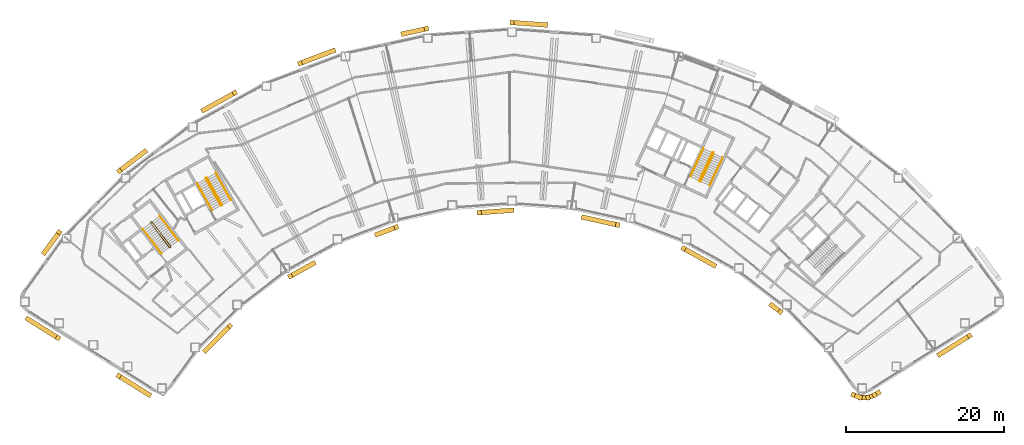
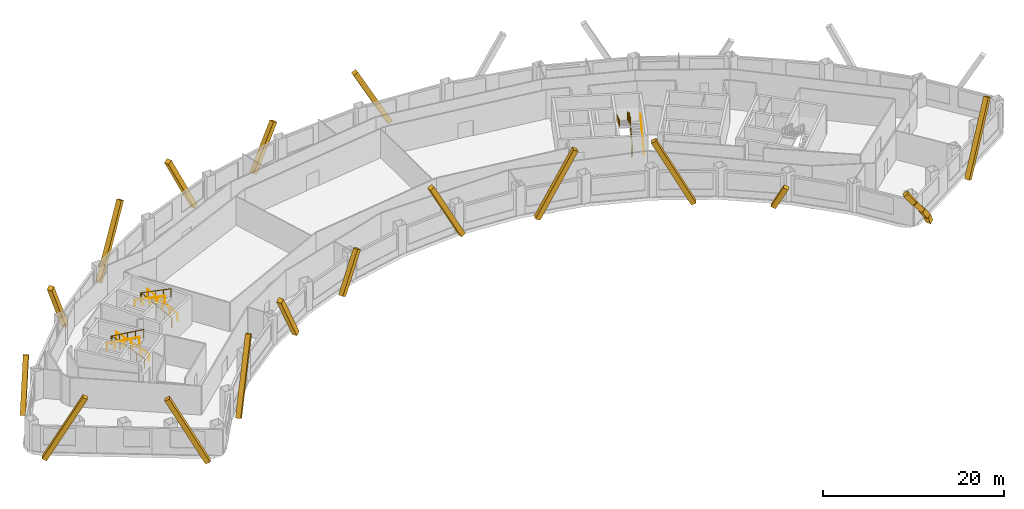
# One storey, part 10 of 11: 20 coverings, 9 railings.
"""IFC4 building model written with IfcOpenShell, lengths in metres."""

import ifcopenshell
import ifcopenshell.guid

model = None  # the IFC model being written
_history = None  # IfcOwnerHistory: only IFC2X3 demands one
_inside = {}  # id of a spatial element -> (the spatial element, [elements in it])
_under = {}  # id of a project, library or spatial element -> (it, [spatial elements below it])
_declared = {}  # id of a project -> (the project, [libraries it declares])
_typed = {}  # id of a type object -> (the type object, [elements of that type])
_made_of = {}  # id of a material, layer set ... -> (it, [elements and type objects made of it])


def new_model(schema):
    """Start an empty IFC model of exactly this schema.

    Asked for "IFC4X3", IfcOpenShell would pick the latest addendum, in which some entities
    have other attributes; the version numbers below select the first issue.
    IFC2X3 requires an IfcOwnerHistory on every rooted entity: one is made here for all.
    """
    global model, _history
    if schema == "IFC4X3":
        model = ifcopenshell.file(schema_version=(4, 3, 0, 0))
    else:
        model = ifcopenshell.file(schema=schema)
    _inside.clear()
    _under.clear()
    _declared.clear()
    _typed.clear()
    _made_of.clear()
    _history = None
    if model.schema == "IFC2X3":
        org = make("IfcOrganization", Name="unknown")
        user = make(
            "IfcPersonAndOrganization",
            ThePerson=make("IfcPerson", FamilyName="unknown"),
            TheOrganization=org,
        )
        app = make(
            "IfcApplication",
            ApplicationDeveloper=org,
            Version="unknown",
            ApplicationFullName="unknown",
            ApplicationIdentifier="unknown",
        )
        _history = make(
            "IfcOwnerHistory",
            OwningUser=user,
            OwningApplication=app,
            ChangeAction="ADDED",
            CreationDate=0,
        )
    return model


def make(cls, **values):
    """One entity of the class cls with the attributes given. An attribute that is None is left unset."""
    return model.create_entity(
        cls, **{name: value for name, value in values.items() if value is not None}
    )


def rooted(cls, **values):
    """An entity with a GlobalId (a new one), such as an element, a storey or a relation."""
    return make(cls, GlobalId=ifcopenshell.guid.new(), OwnerHistory=_history, **values)


def si_unit(unit_type, name, prefix=None):
    """IfcSIUnit, for example si_unit("LENGTHUNIT", "METRE", prefix="MILLI")."""
    return make("IfcSIUnit", UnitType=unit_type, Prefix=prefix, Name=name)


def assignment(units):
    """IfcUnitAssignment: the units of a project."""
    return None if units is None else make("IfcUnitAssignment", Units=units)


def point(xyz):
    """IfcCartesianPoint."""
    return None if xyz is None else make("IfcCartesianPoint", Coordinates=xyz)


def direction(xyz):
    """IfcDirection."""
    return None if xyz is None else make("IfcDirection", DirectionRatios=xyz)


def frame(location, z_axis=None, x_axis=None):
    """IfcAxis2Placement3D, a coordinate frame: its origin and axes. An axis left out is left unset."""
    return make(
        "IfcAxis2Placement3D",
        Location=point(location),
        Axis=direction(z_axis),
        RefDirection=direction(x_axis),
    )


def frame_2d(location, x_axis=None):
    """IfcAxis2Placement2D, a coordinate frame in the plane: its origin and x axis."""
    return make(
        "IfcAxis2Placement2D", Location=point(location), RefDirection=direction(x_axis)
    )


def origin():
    """The frame at (0, 0, 0) with its axes left unset."""
    return frame((0.0, 0.0, 0.0))


def origin_2d():
    """The frame at (0, 0) in the plane with its x axis left unset."""
    return frame_2d((0.0, 0.0))


def place(relative_to, where):
    """IfcLocalPlacement: puts the frame where relative to a parent placement (None: the world)."""
    return make(
        "IfcLocalPlacement", PlacementRelTo=relative_to, RelativePlacement=where
    )


def context(
    kind, dimensions, precision=None, world=None, true_north=None, identifier=None
):
    """IfcGeometricRepresentationContext, for example the 3D "Model" context."""
    return make(
        "IfcGeometricRepresentationContext",
        ContextIdentifier=identifier,
        ContextType=kind,
        CoordinateSpaceDimension=dimensions,
        Precision=precision,
        WorldCoordinateSystem=world,
        TrueNorth=true_north,
    )


def subcontext(parent, identifier, kind, view, scale=None):
    """IfcGeometricRepresentationSubContext, for example "Body" below "Model"."""
    return make(
        "IfcGeometricRepresentationSubContext",
        ContextIdentifier=identifier,
        ContextType=kind,
        ParentContext=parent,
        TargetScale=scale,
        TargetView=view,
    )


def project(units=None, contexts=None):
    """IfcProject with its units and contexts."""
    return rooted(
        "IfcProject",
        Name="project",
        RepresentationContexts=contexts,
        UnitsInContext=assignment(units),
    )


def spatial(cls, under=None, at=None, **own):
    """A site, building, storey or space (cls), placed at a placement, below another one or the project."""
    s = rooted(cls, ObjectPlacement=at, **own)
    if under is not None:
        _under.setdefault(under.id(), (under, []))[1].append(s)
    return s


def profile(cls, at=None, kind="AREA", **sizes):
    """A parametric profile (cls). Its sizes go by their IFC names, for example OverallWidth=200.0."""
    return make(cls, ProfileType=kind, Position=at, **sizes)


def rectangle(**sizes):
    """IfcRectangleProfileDef."""
    return profile("IfcRectangleProfileDef", **sizes)


def circle(**sizes):
    """IfcCircleProfileDef."""
    return profile("IfcCircleProfileDef", **sizes)


def extrude(swept, where, along, depth):
    """IfcExtrudedAreaSolid: the profile swept, set in the frame where, extruded along a direction by depth."""
    return make(
        "IfcExtrudedAreaSolid",
        SweptArea=swept,
        Position=where,
        ExtrudedDirection=direction(along),
        Depth=depth,
    )


def shape(context_of_items, identifier, shape_type, items):
    """IfcShapeRepresentation: the items that make up one representation, for example the "Body"."""
    return make(
        "IfcShapeRepresentation",
        ContextOfItems=context_of_items,
        RepresentationIdentifier=identifier,
        RepresentationType=shape_type,
        Items=items,
    )


def material(Name=None, Category=None):
    """IfcMaterial."""
    return make("IfcMaterial", Name=Name, Category=Category)


def material_profile(
    of_material, cross_section, Name=None, Category=None, Priority=None
):
    """IfcMaterialProfile: a cross section and its material."""
    return make(
        "IfcMaterialProfile",
        Name=Name,
        Material=of_material,
        Profile=cross_section,
        Priority=Priority,
        Category=Category,
    )


def profile_set(profiles, Name=None, composite=None):
    """IfcMaterialProfileSet."""
    return make(
        "IfcMaterialProfileSet",
        Name=Name,
        MaterialProfiles=profiles,
        CompositeProfile=composite,
    )


def made_of(thing, what):
    """Note that an element or type object is made of a material, layer set ...; save() writes the relation."""
    if what is not None:
        _made_of.setdefault(what.id(), (what, []))[1].append(thing)
    return thing


def type_object(cls, material=None, **own):
    """A type object (cls), such as IfcWallType, which elements share."""
    return made_of(rooted(cls, **own), material)


def element(
    cls,
    number,
    at=None,
    inside=None,
    cuts=None,
    type_object=None,
    material=None,
    context=None,
    identifier="Body",
    shape_type=None,
    held_by="IfcProductDefinitionShape",
    body=None,
    shapes=None,
    **own,
):
    """One element of the class cls, such as IfcWall. Its Tag is "e" and its number.

    at: its placement. inside: the storey or other place that contains it. cuts: it is an
    opening in that element (IfcRelVoidsElement). A single representation is given by context,
    identifier, shape_type and body (its items); several are given by shapes. held_by: the class
    of the entity that holds the representations. save() writes the other relations.
    """
    e = rooted(cls, Tag="e%d" % number, ObjectPlacement=at, **own)
    if body is not None:
        shapes = [shape(context, identifier, shape_type, body)]
    if shapes is not None:
        e.Representation = make(held_by, Representations=shapes)
    if inside is not None:
        _inside.setdefault(inside.id(), (inside, []))[1].append(e)
    if cuts is not None:
        rooted(
            "IfcRelVoidsElement", RelatingBuildingElement=cuts, RelatedOpeningElement=e
        )
    if type_object is not None:
        _typed.setdefault(type_object.id(), (type_object, []))[1].append(e)
    return made_of(e, material)


def aggregate(whole, parts):
    """IfcRelAggregates: a whole, such as a stair, and the parts it consists of."""
    return rooted("IfcRelAggregates", RelatingObject=whole, RelatedObjects=parts)


def save(model, path):
    """Write the relations noted so far, then the file.

    IfcRelAggregates (storeys below a building ...), IfcRelContainedInSpatialStructure (elements
    in a storey), IfcRelDefinesByType, IfcRelAssociatesMaterial and IfcRelDeclares: one each for
    every whole, place, type object, material and project.
    """
    for whole, parts in _under.values():
        aggregate(whole, parts)
    for where, things in _inside.values():
        rooted(
            "IfcRelContainedInSpatialStructure",
            RelatedElements=things,
            RelatingStructure=where,
        )
    for kind, things in _typed.values():
        rooted("IfcRelDefinesByType", RelatedObjects=things, RelatingType=kind)
    for what, things in _made_of.values():
        rooted("IfcRelAssociatesMaterial", RelatedObjects=things, RelatingMaterial=what)
    for by, libraries in _declared.values():
        rooted("IfcRelDeclares", RelatingContext=by, RelatedDefinitions=libraries)
    model.write(path)


model = new_model("IFC4")

# Units and contexts
model_context = context("Model", 3, precision=1e-05, world=origin(), true_north=direction((0.0, 1.0)))
body_context = subcontext(model_context, "Body", "Model", "MODEL_VIEW")
ifc_project = project(units=[si_unit("LENGTHUNIT", "METRE"), si_unit("AREAUNIT", "SQUARE_METRE"), si_unit("VOLUMEUNIT", "CUBIC_METRE"), si_unit("PLANEANGLEUNIT", "RADIAN"), si_unit("MASSUNIT", "GRAM", prefix="KILO")], contexts=[model_context])

# Site, building, storey
site_placement = place(None, origin())
site = spatial("IfcSite", under=ifc_project, at=site_placement, CompositionType="ELEMENT")
building_placement = place(site_placement, origin())
building = spatial("IfcBuilding", under=site, at=building_placement, Name="Tuul Gate Civic Tower", CompositionType="ELEMENT")
storey_placement = place(building_placement, frame((0.0, 0.0, 99.300048828125)))
storey = spatial("IfcBuildingStorey", under=building, at=storey_placement, Name="Level 22", CompositionType="ELEMENT", Elevation=99.300048828125)

# Railings
ifc_material_1 = material(Name="Painted steel", Category="steel")
railing_type_1 = type_object("IfcRailingType", Name="Stair guard", PredefinedType="GUARDRAIL", material=ifc_material_1)
railing_1_placement = place(storey_placement, frame((-33.382080078125, -13.515380859375, 0.0)))
element("IfcRailing", 1, at=railing_1_placement, inside=storey, type_object=railing_type_1, Name="Level 22 ST-1 stair guard 1", PredefinedType="GUARDRAIL", context=body_context, shape_type="SweptSolid", body=[
    extrude(circle(Radius=0.02392578125, at=origin_2d()), frame((0.0, 0.0, 1.076171875), z_axis=(-0.795879841968, -0.605454603706, 0.0), x_axis=(0.605454603706, -0.795879841968, 0.0)), (0.0, 0.0, 1.0), 0.10009765625),
    extrude(circle(Radius=0.02392578125, at=origin_2d()), frame((-0.07958984375, -0.060546875, 1.076171875), z_axis=(0.408991890351, 0.599481263939, 0.688002796371), x_axis=(-0.826063974707, 0.563576356576, 0.0)), (0.0, 0.0, 1.0), 0.2177734375),
    extrude(circle(Radius=0.02392578125, at=origin_2d()), frame((0.009521484375, 0.070068359375, 1.22607421875), z_axis=(-0.541824460341, 0.711645023348, 0.447199748346), x_axis=(-0.795637165283, -0.60577347352, 0.0)), (0.0, 0.0, 1.0), 4.3603515625),
    extrude(circle(Radius=0.02392578125, at=origin_2d()), frame((-2.35302734375, 3.173095703125, 3.17578125), z_axis=(-0.990893089246, 0.134650977284, 0.0), x_axis=(-0.134650977284, -0.990893089246, 0.0)), (0.0, 0.0, 1.0), 0.07080078125),
    extrude(circle(Radius=0.02392578125, at=origin_2d()), frame((-2.423095703125, 3.1826171875, 3.17578125), z_axis=(-0.793802879778, -0.60817512943, 0.0), x_axis=(0.60817512943, -0.793802879778, 0.0)), (0.0, 0.0, 1.0), 0.099853515625),
    extrude(circle(Radius=0.02392578125, at=origin_2d()), frame((-2.50244140625, 3.121826171875, 3.17578125), z_axis=(-0.057370624079, -0.422188951554, 0.904690610473), x_axis=(0.990893089246, -0.134650977284, 0.0)), (0.0, 0.0, 1.0), 0.166015625),
    extrude(circle(Radius=0.02392578125, at=origin_2d()), frame((-2.511962890625, 3.0517578125, 3.326171875), z_axis=(0.541806494602, -0.71163897684, 0.447231136047), x_axis=(0.795644365679, 0.605764016233, 0.0)), (0.0, 0.0, 1.0), 4.360107421875),
    extrude(circle(Radius=0.02099609375, at=origin_2d()), origin(), (0.0, 0.0, 1.0), 1.052001953125),
    extrude(circle(Radius=0.02099609375, at=origin_2d()), frame((-0.07958984375, -0.060546875, 0.0)), (0.0, 0.0, 1.0), 1.052001953125),
    extrude(circle(Radius=0.02099609375, at=origin_2d()), frame((0.009521484375, 0.070068359375, 0.14990234375)), (0.0, 0.0, 1.0), 1.052001953125),
    extrude(circle(Radius=0.02099609375, at=origin_2d()), frame((-0.5810546875, 0.845703125, 0.637451171875)), (0.0, 0.0, 1.0), 1.052001953125),
    extrude(circle(Radius=0.02099609375, at=origin_2d()), frame((-1.171875, 1.62158203125, 1.125)), (0.0, 0.0, 1.0), 1.052001953125),
    extrude(circle(Radius=0.02099609375, at=origin_2d()), frame((-1.762451171875, 2.3974609375, 1.6123046875)), (0.0, 0.0, 1.0), 1.052001953125),
    extrude(circle(Radius=0.02099609375, at=origin_2d()), frame((-2.35302734375, 3.173095703125, 2.099853515625)), (0.0, 0.0, 1.0), 1.052001953125),
    extrude(circle(Radius=0.02099609375, at=origin_2d()), frame((-2.423095703125, 3.1826171875, 2.099853515625)), (0.0, 0.0, 1.0), 1.052001953125),
    extrude(circle(Radius=0.02099609375, at=origin_2d()), frame((-2.50244140625, 3.121826171875, 2.099853515625)), (0.0, 0.0, 1.0), 1.052001953125),
    extrude(circle(Radius=0.02099609375, at=origin_2d()), frame((-2.511962890625, 3.0517578125, 2.25)), (0.0, 0.0, 1.0), 1.052001953125),
    extrude(circle(Radius=0.02099609375, at=origin_2d()), frame((-1.92138671875, 2.276123046875, 2.737548828125)), (0.0, 0.0, 1.0), 1.052001953125),
    extrude(circle(Radius=0.02099609375, at=origin_2d()), frame((-1.330810546875, 1.50048828125, 3.22509765625)), (0.0, 0.0, 1.0), 1.052001953125),
    extrude(circle(Radius=0.02099609375, at=origin_2d()), frame((-0.740234375, 0.724609375, 3.71240234375)), (0.0, 0.0, 1.0), 1.052001953125),
    extrude(circle(Radius=0.02099609375, at=origin_2d()), frame((-0.149658203125, -0.051025390625, 4.199951171875)), (0.0, 0.0, 1.0), 1.052001953125),
])
railing_2_placement = place(storey_placement, frame((-26.857666015625, -8.247314453125, 0.0)))
element("IfcRailing", 2, at=railing_2_placement, inside=storey, type_object=railing_type_1, Name="Level 22 ST-2 stair guard 1", PredefinedType="GUARDRAIL", context=body_context, shape_type="SweptSolid", body=[
    extrude(circle(Radius=0.02392578125, at=origin_2d()), frame((0.0, 0.0, 1.076171875), z_axis=(-0.874616555828, -0.48481530532, 0.0), x_axis=(0.48481530532, -0.874616555828, 0.0)), (0.0, 0.0, 1.0), 0.10009765625),
    extrude(circle(Radius=0.02392578125, at=origin_2d()), frame((-0.087646484375, -0.048583984375, 1.076171875), z_axis=(0.49081399482, 0.534516610797, 0.688036056665), x_axis=(-0.736576986774, 0.676353711126, 0.0)), (0.0, 0.0, 1.0), 0.2177734375),
    extrude(circle(Radius=0.02392578125, at=origin_2d()), frame((0.019287109375, 0.06787109375, 1.22607421875), z_axis=(-0.43354991378, 0.782327185242, 0.447212083348), x_axis=(-0.874667644053, -0.484723129681, 0.0)), (0.0, 0.0, 1.0), 4.3603515625),
    extrude(circle(Radius=0.02392578125, at=origin_2d()), frame((-1.87109375, 3.47900390625, 3.17578125), z_axis=(-0.961263487578, 0.275631107549, 0.0), x_axis=(-0.275631107549, -0.961263487578, 0.0)), (0.0, 0.0, 1.0), 0.07080078125),
    extrude(circle(Radius=0.02392578125, at=origin_2d()), frame((-1.939208984375, 3.49853515625, 3.17578125), z_axis=(-0.874042088414, -0.485850211157, 0.0), x_axis=(0.485850211157, -0.874042088414, 0.0)), (0.0, 0.0, 1.0), 0.10009765625),
    extrude(circle(Radius=0.02392578125, at=origin_2d()), frame((-2.026611328125, 3.449951171875, 3.17578125), z_axis=(-0.117709570447, -0.409040757305, 0.904892322815), x_axis=(0.961000426733, -0.276546885391, 0.0)), (0.0, 0.0, 1.0), 0.166015625),
    extrude(circle(Radius=0.02392578125, at=origin_2d()), frame((-2.046142578125, 3.382080078125, 3.326171875), z_axis=(0.433595379963, -0.782308193291, 0.447201226726), x_axis=(0.874641102302, 0.484771020343, 0.0)), (0.0, 0.0, 1.0), 4.3603515625),
    extrude(circle(Radius=0.02099609375, at=origin_2d()), origin(), (0.0, 0.0, 1.0), 1.052001953125),
    extrude(circle(Radius=0.02099609375, at=origin_2d()), frame((-0.087646484375, -0.048583984375, 0.0)), (0.0, 0.0, 1.0), 1.052001953125),
    extrude(circle(Radius=0.02099609375, at=origin_2d()), frame((0.019287109375, 0.06787109375, 0.14990234375)), (0.0, 0.0, 1.0), 1.052001953125),
    extrude(circle(Radius=0.02099609375, at=origin_2d()), frame((-0.453369140625, 0.920654296875, 0.637451171875)), (0.0, 0.0, 1.0), 1.052001953125),
    extrude(circle(Radius=0.02099609375, at=origin_2d()), frame((-0.92578125, 1.7734375, 1.125)), (0.0, 0.0, 1.0), 1.052001953125),
    extrude(circle(Radius=0.02099609375, at=origin_2d()), frame((-1.3984375, 2.626220703125, 1.6123046875)), (0.0, 0.0, 1.0), 1.052001953125),
    extrude(circle(Radius=0.02099609375, at=origin_2d()), frame((-1.87109375, 3.47900390625, 2.099853515625)), (0.0, 0.0, 1.0), 1.052001953125),
    extrude(circle(Radius=0.02099609375, at=origin_2d()), frame((-1.939208984375, 3.49853515625, 2.099853515625)), (0.0, 0.0, 1.0), 1.052001953125),
    extrude(circle(Radius=0.02099609375, at=origin_2d()), frame((-2.026611328125, 3.449951171875, 2.099853515625)), (0.0, 0.0, 1.0), 1.052001953125),
    extrude(circle(Radius=0.02099609375, at=origin_2d()), frame((-2.046142578125, 3.382080078125, 2.25)), (0.0, 0.0, 1.0), 1.052001953125),
    extrude(circle(Radius=0.02099609375, at=origin_2d()), frame((-1.573486328125, 2.529296875, 2.737548828125)), (0.0, 0.0, 1.0), 1.052001953125),
    extrude(circle(Radius=0.02099609375, at=origin_2d()), frame((-1.100830078125, 1.676513671875, 3.22509765625)), (0.0, 0.0, 1.0), 1.052001953125),
    extrude(circle(Radius=0.02099609375, at=origin_2d()), frame((-0.628173828125, 0.82373046875, 3.71240234375)), (0.0, 0.0, 1.0), 1.052001953125),
    extrude(circle(Radius=0.02099609375, at=origin_2d()), frame((-0.155517578125, -0.029052734375, 4.199951171875)), (0.0, 0.0, 1.0), 1.052001953125),
])
railing_3_placement = place(storey_placement, frame((33.645751953125, -5.238525390625, 0.0)))
element("IfcRailing", 3, at=railing_3_placement, inside=storey, type_object=railing_type_1, Name="Level 22 ST-4 stair guard 1", PredefinedType="GUARDRAIL", context=body_context, shape_type="SweptSolid", body=[
    extrude(circle(Radius=0.02392578125, at=origin_2d()), frame((0.0, 0.0, 1.076171875), z_axis=(-0.906307919131, 0.422617978463, 0.0), x_axis=(-0.422617978463, -0.906307919131, 0.0)), (0.0, 0.0, 1.0), 0.099853515625),
    extrude(circle(Radius=0.02392578125, at=origin_2d()), frame((-0.090576171875, 0.042236328125, 1.076171875), z_axis=(0.720735628292, -0.082946246491, 0.688229666829), x_axis=(0.114330889033, 0.993442724979, 0.0)), (0.0, 0.0, 1.0), 0.2177734375),
    extrude(circle(Radius=0.02392578125, at=origin_2d()), frame((0.06640625, 0.024169921875, 1.22607421875), z_axis=(0.377946903738, 0.810654114417, 0.447209173356), x_axis=(-0.906336612539, 0.422556439746, 0.0)), (0.0, 0.0, 1.0), 4.3603515625),
    extrude(circle(Radius=0.02392578125, at=origin_2d()), frame((1.71435546875, 3.558837890625, 3.17578125), z_axis=(-0.342020437038, 0.939692513883, 0.0), x_axis=(-0.939692513883, -0.342020437038, 0.0)), (0.0, 0.0, 1.0), 0.070556640625),
    extrude(circle(Radius=0.02392578125, at=origin_2d()), frame((1.690185546875, 3.625244140625, 3.17578125), z_axis=(-0.906307919131, 0.422617978463, 0.0), x_axis=(-0.422617978463, -0.906307919131, 0.0)), (0.0, 0.0, 1.0), 0.099853515625),
    extrude(circle(Radius=0.02392578125, at=origin_2d()), frame((1.599609375, 3.66748046875, 3.17578125), z_axis=(-0.400168791901, -0.145649670582, 0.904793408159), x_axis=(0.342020437038, -0.939692513883, 0.0)), (0.0, 0.0, 1.0), 0.166015625),
    extrude(circle(Radius=0.02392578125, at=origin_2d()), frame((1.533203125, 3.643310546875, 3.326171875), z_axis=(-0.377946903738, -0.810654114417, 0.447209173356), x_axis=(0.906336612539, -0.422556439746, 0.0)), (0.0, 0.0, 1.0), 4.3603515625),
    extrude(circle(Radius=0.02099609375, at=origin_2d()), origin(), (0.0, 0.0, 1.0), 1.052001953125),
    extrude(circle(Radius=0.02099609375, at=origin_2d()), frame((-0.090576171875, 0.042236328125, 0.0)), (0.0, 0.0, 1.0), 1.052001953125),
    extrude(circle(Radius=0.02099609375, at=origin_2d()), frame((0.06640625, 0.024169921875, 0.14990234375)), (0.0, 0.0, 1.0), 1.052001953125),
    extrude(circle(Radius=0.02099609375, at=origin_2d()), frame((0.478515625, 0.90771484375, 0.637451171875)), (0.0, 0.0, 1.0), 1.052001953125),
    extrude(circle(Radius=0.02099609375, at=origin_2d()), frame((0.890380859375, 1.79150390625, 1.125)), (0.0, 0.0, 1.0), 1.052001953125),
    extrude(circle(Radius=0.02099609375, at=origin_2d()), frame((1.30224609375, 2.67529296875, 1.6123046875)), (0.0, 0.0, 1.0), 1.052001953125),
    extrude(circle(Radius=0.02099609375, at=origin_2d()), frame((1.71435546875, 3.558837890625, 2.099853515625)), (0.0, 0.0, 1.0), 1.052001953125),
    extrude(circle(Radius=0.02099609375, at=origin_2d()), frame((1.690185546875, 3.625244140625, 2.099853515625)), (0.0, 0.0, 1.0), 1.052001953125),
    extrude(circle(Radius=0.02099609375, at=origin_2d()), frame((1.599609375, 3.66748046875, 2.099853515625)), (0.0, 0.0, 1.0), 1.052001953125),
    extrude(circle(Radius=0.02099609375, at=origin_2d()), frame((1.533203125, 3.643310546875, 2.25)), (0.0, 0.0, 1.0), 1.052001953125),
    extrude(circle(Radius=0.02099609375, at=origin_2d()), frame((1.12109375, 2.759765625, 2.737548828125)), (0.0, 0.0, 1.0), 1.052001953125),
    extrude(circle(Radius=0.02099609375, at=origin_2d()), frame((0.709228515625, 1.8759765625, 3.22509765625)), (0.0, 0.0, 1.0), 1.052001953125),
    extrude(circle(Radius=0.02099609375, at=origin_2d()), frame((0.29736328125, 0.9921875, 3.71240234375)), (0.0, 0.0, 1.0), 1.052001953125),
    extrude(circle(Radius=0.02099609375, at=origin_2d()), frame((-0.11474609375, 0.108642578125, 4.199951171875)), (0.0, 0.0, 1.0), 1.052001953125),
])
ifc_material_2 = material(Name="Painted steel", Category="steel")
railing_type_2 = type_object("IfcRailingType", Name="Stair handrail", PredefinedType="HANDRAIL", material=ifc_material_2)
railing_4_placement = place(storey_placement, frame((-32.3779296875, -12.688232421875, 0.14990234375)))
element("IfcRailing", 4, at=railing_4_placement, inside=storey, type_object=railing_type_2, Name="Level 22 ST-1 stair handrail 1", PredefinedType="HANDRAIL", context=body_context, shape_type="SweptSolid", body=[
    extrude(circle(Radius=0.02392578125, at=origin_2d()), frame((0.0, 0.0, 0.8759765625), z_axis=(-0.541824460341, 0.711645023348, 0.447199748346), x_axis=(-0.795637165283, -0.60577347352, 0.0)), (0.0, 0.0, 1.0), 4.3603515625),
    extrude(circle(Radius=0.02099609375, at=origin_2d()), origin(), (0.0, 0.0, 1.0), 0.851806640625),
    extrude(circle(Radius=0.02099609375, at=origin_2d()), frame((-0.590576171875, 0.77587890625, 0.487548828125)), (0.0, 0.0, 1.0), 0.851806640625),
    extrude(circle(Radius=0.02099609375, at=origin_2d()), frame((-1.18115234375, 1.551513671875, 0.97509765625)), (0.0, 0.0, 1.0), 0.851806640625),
    extrude(circle(Radius=0.02099609375, at=origin_2d()), frame((-1.77197265625, 2.3271484375, 1.46240234375)), (0.0, 0.0, 1.0), 0.851806640625),
    extrude(circle(Radius=0.02099609375, at=origin_2d()), frame((-2.362548828125, 3.10302734375, 1.949951171875)), (0.0, 0.0, 1.0), 0.851806640625),
])
railing_5_placement = place(storey_placement, frame((-36.888671875, -11.220703125, 2.25)))
element("IfcRailing", 5, at=railing_5_placement, inside=storey, type_object=railing_type_2, Name="Level 22 ST-1 stair handrail 2", PredefinedType="HANDRAIL", context=body_context, shape_type="SweptSolid", body=[
    extrude(circle(Radius=0.02392578125, at=origin_2d()), frame((0.0, 0.0, 0.8759765625), z_axis=(0.541824460341, -0.711645023348, 0.447199748346), x_axis=(0.795637165283, 0.60577347352, 0.0)), (0.0, 0.0, 1.0), 4.3603515625),
    extrude(circle(Radius=0.02099609375, at=origin_2d()), origin(), (0.0, 0.0, 1.0), 0.851806640625),
    extrude(circle(Radius=0.02099609375, at=origin_2d()), frame((0.590576171875, -0.77587890625, 0.487548828125)), (0.0, 0.0, 1.0), 0.851806640625),
    extrude(circle(Radius=0.02099609375, at=origin_2d()), frame((1.18115234375, -1.551513671875, 0.97509765625)), (0.0, 0.0, 1.0), 0.851806640625),
    extrude(circle(Radius=0.02099609375, at=origin_2d()), frame((1.77197265625, -2.3271484375, 1.46240234375)), (0.0, 0.0, 1.0), 0.851806640625),
    extrude(circle(Radius=0.02099609375, at=origin_2d()), frame((2.362548828125, -3.10302734375, 1.949951171875)), (0.0, 0.0, 1.0), 0.851806640625),
])
railing_6_placement = place(storey_placement, frame((-25.744873046875, -7.573486328125, 0.14990234375)))
element("IfcRailing", 6, at=railing_6_placement, inside=storey, type_object=railing_type_2, Name="Level 22 ST-2 stair handrail 1", PredefinedType="HANDRAIL", context=body_context, shape_type="SweptSolid", body=[
    extrude(circle(Radius=0.02392578125, at=origin_2d()), frame((0.0, 0.0, 0.8759765625), z_axis=(-0.433595379963, 0.782308193291, 0.447201226726), x_axis=(-0.874641102302, -0.484771020343, 0.0)), (0.0, 0.0, 1.0), 4.3603515625),
    extrude(circle(Radius=0.02099609375, at=origin_2d()), origin(), (0.0, 0.0, 1.0), 0.851806640625),
    extrude(circle(Radius=0.02099609375, at=origin_2d()), frame((-0.47265625, 0.852783203125, 0.487548828125)), (0.0, 0.0, 1.0), 0.851806640625),
    extrude(circle(Radius=0.02099609375, at=origin_2d()), frame((-0.9453125, 1.70556640625, 0.97509765625)), (0.0, 0.0, 1.0), 0.851806640625),
    extrude(circle(Radius=0.02099609375, at=origin_2d()), frame((-1.41796875, 2.558349609375, 1.46240234375)), (0.0, 0.0, 1.0), 0.851806640625),
    extrude(circle(Radius=0.02099609375, at=origin_2d()), frame((-1.890625, 3.4111328125, 1.949951171875)), (0.0, 0.0, 1.0), 0.851806640625),
])
railing_7_placement = place(storey_placement, frame((-29.9970703125, -5.47119140625, 2.25)))
element("IfcRailing", 7, at=railing_7_placement, inside=storey, type_object=railing_type_2, Name="Level 22 ST-2 stair handrail 2", PredefinedType="HANDRAIL", context=body_context, shape_type="SweptSolid", body=[
    extrude(circle(Radius=0.02392578125, at=origin_2d()), frame((0.0, 0.0, 0.8759765625), z_axis=(0.433595379963, -0.782308193291, 0.447201226726), x_axis=(0.874641102302, 0.484771020343, 0.0)), (0.0, 0.0, 1.0), 4.3603515625),
    extrude(circle(Radius=0.02099609375, at=origin_2d()), origin(), (0.0, 0.0, 1.0), 0.851806640625),
    extrude(circle(Radius=0.02099609375, at=origin_2d()), frame((0.47265625, -0.852783203125, 0.487548828125)), (0.0, 0.0, 1.0), 0.851806640625),
    extrude(circle(Radius=0.02099609375, at=origin_2d()), frame((0.9453125, -1.70556640625, 0.97509765625)), (0.0, 0.0, 1.0), 0.851806640625),
    extrude(circle(Radius=0.02099609375, at=origin_2d()), frame((1.41796875, -2.558349609375, 1.46240234375)), (0.0, 0.0, 1.0), 0.851806640625),
    extrude(circle(Radius=0.02099609375, at=origin_2d()), frame((1.890625, -3.4111328125, 1.949951171875)), (0.0, 0.0, 1.0), 0.851806640625),
])
railing_8_placement = place(storey_placement, frame((34.844970703125, -5.74267578125, 0.14990234375)))
element("IfcRailing", 8, at=railing_8_placement, inside=storey, type_object=railing_type_2, Name="Level 22 ST-4 stair handrail 1", PredefinedType="HANDRAIL", context=body_context, shape_type="SweptSolid", body=[
    extrude(circle(Radius=0.02392578125, at=origin_2d()), frame((0.0, 0.0, 0.8759765625), z_axis=(0.377994896215, 0.810636958585, 0.447199709091), x_axis=(-0.906312636903, 0.422607861012, 0.0)), (0.0, 0.0, 1.0), 4.3603515625),
    extrude(circle(Radius=0.02099609375, at=origin_2d()), origin(), (0.0, 0.0, 1.0), 0.851806640625),
    extrude(circle(Radius=0.02099609375, at=origin_2d()), frame((0.412109375, 0.8837890625, 0.487548828125)), (0.0, 0.0, 1.0), 0.851806640625),
    extrude(circle(Radius=0.02099609375, at=origin_2d()), frame((0.82421875, 1.767333984375, 0.97509765625)), (0.0, 0.0, 1.0), 0.851806640625),
    extrude(circle(Radius=0.02099609375, at=origin_2d()), frame((1.236083984375, 2.65087890625, 1.46240234375)), (0.0, 0.0, 1.0), 0.851806640625),
    extrude(circle(Radius=0.02099609375, at=origin_2d()), frame((1.648193359375, 3.53466796875, 1.949951171875)), (0.0, 0.0, 1.0), 0.851806640625),
])
railing_9_placement = place(storey_placement, frame((34.046142578125, -1.06689453125, 2.25)))
element("IfcRailing", 9, at=railing_9_placement, inside=storey, type_object=railing_type_2, Name="Level 22 ST-4 stair handrail 2", PredefinedType="HANDRAIL", context=body_context, shape_type="SweptSolid", body=[
    extrude(circle(Radius=0.02392578125, at=origin_2d()), frame((0.0, 0.0, 0.8759765625), z_axis=(-0.377994896215, -0.810636958585, 0.447199709091), x_axis=(0.906312636903, -0.422607861012, 0.0)), (0.0, 0.0, 1.0), 4.3603515625),
    extrude(circle(Radius=0.02099609375, at=origin_2d()), origin(), (0.0, 0.0, 1.0), 0.851806640625),
    extrude(circle(Radius=0.02099609375, at=origin_2d()), frame((-0.412109375, -0.8837890625, 0.487548828125)), (0.0, 0.0, 1.0), 0.851806640625),
    extrude(circle(Radius=0.02099609375, at=origin_2d()), frame((-0.82421875, -1.767333984375, 0.97509765625)), (0.0, 0.0, 1.0), 0.851806640625),
    extrude(circle(Radius=0.02099609375, at=origin_2d()), frame((-1.236083984375, -2.65087890625, 1.46240234375)), (0.0, 0.0, 1.0), 0.851806640625),
    extrude(circle(Radius=0.02099609375, at=origin_2d()), frame((-1.648193359375, -3.53466796875, 1.949951171875)), (0.0, 0.0, 1.0), 0.851806640625),
])

# Coverings
ifc_material_3 = material(Name="Terracotta baguette", Category="masonry")
ifc_material_profile = material_profile(ifc_material_3, rectangle(XDim=0.60009765625, YDim=0.60009765625, at=origin_2d()), Name="Terracotta baguette screen frame")
ifc_profile_set = profile_set([ifc_material_profile], Name="Terracotta baguette")
covering_type = type_object("IfcCoveringType", Name="Terracotta baguette screen frame", PredefinedType="CLADDING", material=ifc_profile_set)
covering_1_placement = place(storey_placement, frame((63.8916015625, -27.137451171875, -0.35009765625), z_axis=(0.402302821663, 0.251400885631, 0.880312464064), x_axis=(-0.529940764372, 0.848034661, 0.0)))
element("IfcCovering", 10, at=covering_1_placement, inside=storey, type_object=covering_type, Name="Baguette 1", PredefinedType="CLADDING", context=body_context, shape_type="SweptSolid", body=[
    extrude(rectangle(XDim=0.60009765625, YDim=0.60009765625, at=origin_2d()), origin(), (0.0, 0.0, 1.0), 9.542236328125),
])
covering_2_placement = place(storey_placement, frame((9.8291015625, 14.889892578125, 7.55029296875), z_axis=(0.47391214499, -0.034369438939, -0.879901142457), x_axis=(0.07233283692, 0.997380549591, 0.0)))
element("IfcCovering", 11, at=covering_2_placement, inside=storey, type_object=covering_type, Name="Baguette 74", PredefinedType="CLADDING", context=body_context, shape_type="SweptSolid", body=[
    extrude(rectangle(XDim=0.60009765625, YDim=0.60009765625, at=origin_2d()), origin(), (0.0, 0.0, 1.0), 8.978759765625),
])
covering_3_placement = place(storey_placement, frame((-0.994384765625, 14.10498046875, 5.254638671875), z_axis=(-0.464036135768, -0.102258892395, -0.879894075232), x_axis=(0.215204911668, -0.976568915128, 0.0)))
element("IfcCovering", 12, at=covering_3_placement, inside=storey, type_object=covering_type, Name="Baguette 80", PredefinedType="CLADDING", context=body_context, shape_type="SweptSolid", body=[
    extrude(rectangle(XDim=0.60009765625, YDim=0.60009765625, at=origin_2d()), origin(), (0.0, 0.0, 1.0), 6.369873046875),
])
covering_4_placement = place(storey_placement, frame((-17.001708984375, 9.72412109375, 8.050048828125), z_axis=(0.444483869163, 0.16801444223, -0.879889332391), x_axis=(-0.353581620873, 0.935403676164, 0.0)))
element("IfcCovering", 13, at=covering_4_placement, inside=storey, type_object=covering_type, Name="Baguette 95", PredefinedType="CLADDING", context=body_context, shape_type="SweptSolid", body=[
    extrude(rectangle(XDim=0.60009765625, YDim=0.60009765625, at=origin_2d()), origin(), (0.0, 0.0, 1.0), 9.546875),
])
covering_5_placement = place(storey_placement, frame((-25.244384765625, 5.990234375, 8.050048828125), z_axis=(-0.415589804816, -0.230363236834, -0.879896524171), x_axis=(0.484806475071, -0.874621450531, 0.0)))
element("IfcCovering", 14, at=covering_5_placement, inside=storey, type_object=covering_type, Name="Baguette 101", PredefinedType="CLADDING", context=body_context, shape_type="SweptSolid", body=[
    extrude(rectangle(XDim=0.60009765625, YDim=0.60009765625, at=origin_2d()), origin(), (0.0, 0.0, 1.0), 9.546630859375),
])
covering_6_placement = place(storey_placement, frame((-39.864501953125, -3.902099609375, 7.219482421875), z_axis=(0.37804114124, 0.287851609909, -0.879901327538), x_axis=(-0.60580385418, 0.795614033474, 0.0)))
element("IfcCovering", 15, at=covering_6_placement, inside=storey, type_object=covering_type, Name="Baguette 116", PredefinedType="CLADDING", context=body_context, shape_type="SweptSolid", body=[
    extrude(rectangle(XDim=0.60009765625, YDim=0.60009765625, at=origin_2d()), origin(), (0.0, 0.0, 1.0), 8.602783203125),
])
covering_7_placement = place(storey_placement, frame((-47.460693359375, -11.65185546875, 5.5859375), z_axis=(-0.281403184442, -0.38521692185, -0.878874377204), x_axis=(0.807492455087, -0.589877898363, 0.0)))
element("IfcCovering", 16, at=covering_7_placement, inside=storey, type_object=covering_type, Name="Baguette 122", PredefinedType="CLADDING", context=body_context, shape_type="SweptSolid", body=[
    extrude(rectangle(XDim=0.60009765625, YDim=0.60009765625, at=origin_2d()), origin(), (0.0, 0.0, 1.0), 6.754150390625),
])
covering_8_placement = place(storey_placement, frame((-47.6162109375, -25.023681640625, 8.050048828125), z_axis=(-0.402283964458, 0.251379504598, -0.880327187248), x_axis=(-0.529926214669, -0.848043753002, 0.0)))
element("IfcCovering", 17, at=covering_8_placement, inside=storey, type_object=covering_type, Name="Baguette 149", PredefinedType="CLADDING", context=body_context, shape_type="SweptSolid", body=[
    extrude(rectangle(XDim=0.60009765625, YDim=0.60009765625, at=origin_2d()), origin(), (0.0, 0.0, 1.0), 9.5419921875),
])
covering_9_placement = place(storey_placement, frame((-39.938720703125, -29.821044921875, 8.050048828125), z_axis=(0.402305409232, -0.251376917178, -0.880318126141), x_axis=(0.529901976461, 0.848058898511, 0.0)))
element("IfcCovering", 18, at=covering_9_placement, inside=storey, type_object=covering_type, Name="Baguette 153", PredefinedType="CLADDING", context=body_context, shape_type="SweptSolid", body=[
    extrude(rectangle(XDim=0.60009765625, YDim=0.60009765625, at=origin_2d()), origin(), (0.0, 0.0, 1.0), 9.542236328125),
])
covering_10_placement = place(storey_placement, frame((-25.87841796875, -23.490478515625, 8.050048828125), z_axis=(-0.326297362377, -0.332905591071, -0.884705543523), x_axis=(0.714159342562, -0.699983166534, 0.0)))
element("IfcCovering", 19, at=covering_10_placement, inside=storey, type_object=covering_type, Name="Baguette 180", PredefinedType="CLADDING", context=body_context, shape_type="SweptSolid", body=[
    extrude(rectangle(XDim=0.60009765625, YDim=0.60009765625, at=origin_2d()), origin(), (0.0, 0.0, 1.0), 9.494873046875),
])
covering_11_placement = place(storey_placement, frame((-18.239990234375, -17.224609375, 6.0625), z_axis=(0.40772187358, 0.226006920423, -0.884694153776), x_axis=(-0.484814535544, 0.874616982527, 0.0)))
element("IfcCovering", 20, at=covering_11_placement, inside=storey, type_object=covering_type, Name="Baguette 187", PredefinedType="CLADDING", context=body_context, shape_type="SweptSolid", body=[
    extrude(rectangle(XDim=0.60009765625, YDim=0.60009765625, at=origin_2d()), origin(), (0.0, 0.0, 1.0), 7.248291015625),
])
covering_12_placement = place(storey_placement, frame((-4.8134765625, -11.004638671875, 4.59423828125), z_axis=(-0.436019121692, -0.164866863567, -0.8847068683), x_axis=(0.353679388764, -0.935366714163, 0.0)))
element("IfcCovering", 21, at=covering_12_placement, inside=storey, type_object=covering_type, Name="Baguette 205", PredefinedType="CLADDING", context=body_context, shape_type="SweptSolid", body=[
    extrude(rectangle(XDim=0.60009765625, YDim=0.60009765625, at=origin_2d()), origin(), (0.0, 0.0, 1.0), 5.588623046875),
])
covering_13_placement = place(storey_placement, frame((5.677001953125, -9.17333984375, 8.050048828125), z_axis=(0.46493425152, 0.033625514751, -0.884706429569), x_axis=(-0.07213475166, 0.997394895517, 0.0)))
element("IfcCovering", 22, at=covering_13_placement, inside=storey, type_object=covering_type, Name="Baguette 212", PredefinedType="CLADDING", context=body_context, shape_type="SweptSolid", body=[
    extrude(rectangle(XDim=0.60009765625, YDim=0.60009765625, at=origin_2d()), origin(), (0.0, 0.0, 1.0), 8.930419921875),
])
covering_14_placement = place(storey_placement, frame((23.20703125, -10.72607421875, 8.050048828125), z_axis=(-0.455202274542, 0.100333235907, -0.884716977923), x_axis=(-0.21524797351, -0.976559424664, 0.0)))
element("IfcCovering", 23, at=covering_14_placement, inside=storey, type_object=covering_type, Name="Baguette 228", PredefinedType="CLADDING", context=body_context, shape_type="SweptSolid", body=[
    extrude(rectangle(XDim=0.60009765625, YDim=0.60009765625, at=origin_2d()), origin(), (0.0, 0.0, 1.0), 9.49462890625),
])
covering_15_placement = place(storey_placement, frame((31.53173828125, -13.69580078125, 8.050048828125), z_axis=(0.407704791436, -0.225991259582, -0.884706026674), x_axis=(0.484804374507, 0.87462261488, 0.0)))
element("IfcCovering", 24, at=covering_15_placement, inside=storey, type_object=covering_type, Name="Baguette 236", PredefinedType="CLADDING", context=body_context, shape_type="SweptSolid", body=[
    extrude(rectangle(XDim=0.60009765625, YDim=0.60009765625, at=origin_2d()), origin(), (0.0, 0.0, 1.0), 9.494873046875),
])
covering_16_placement = place(storey_placement, frame((43.79931640625, -21.71875, 2.342529296875), z_axis=(-0.370840052138, 0.282441666359, -0.88470580468), x_axis=(-0.605903218939, -0.795538364429, 0.0)))
element("IfcCovering", 25, at=covering_16_placement, inside=storey, type_object=covering_type, Name="Baguette 251", PredefinedType="CLADDING", context=body_context, shape_type="SweptSolid", body=[
    extrude(rectangle(XDim=0.60009765625, YDim=0.60009765625, at=origin_2d()), origin(), (0.0, 0.0, 1.0), 3.04345703125),
])
covering_17_placement = place(storey_placement, frame((52.9951171875, -32.212646484375, 4.61181640625), z_axis=(0.560309218676, -0.22230892077, -0.79789242584), x_axis=(0.368793912902, 0.92951118864, 0.0)))
element("IfcCovering", 26, at=covering_17_placement, inside=storey, type_object=covering_type, Name="Baguette 260", PredefinedType="CLADDING", context=body_context, shape_type="SweptSolid", body=[
    extrude(rectangle(XDim=0.60009765625, YDim=0.60009765625, at=origin_2d()), origin(), (0.0, 0.0, 1.0), 1.6142578125),
])
covering_18_placement = place(storey_placement, frame((53.899658203125, -32.571533203125, 3.32373046875), z_axis=(0.60248769528, -0.001814266586, -0.798126108753), x_axis=(0.003011278693, 0.99999546609, 0.0)))
element("IfcCovering", 27, at=covering_18_placement, inside=storey, type_object=covering_type, Name="Baguette 261", PredefinedType="CLADDING", context=body_context, shape_type="SweptSolid", body=[
    extrude(rectangle(XDim=0.60009765625, YDim=0.60009765625, at=origin_2d()), origin(), (0.0, 0.0, 1.0), 1.61474609375),
])
covering_19_placement = place(storey_placement, frame((54.87255859375, -32.574462890625, 2.034912109375), z_axis=(0.534157640692, 0.207771041663, -0.819455190438), x_axis=(-0.362511535842, 0.931979284309, 0.0)))
element("IfcCovering", 28, at=covering_19_placement, inside=storey, type_object=covering_type, Name="Baguette 262", PredefinedType="CLADDING", context=body_context, shape_type="SweptSolid", body=[
    extrude(rectangle(XDim=0.60009765625, YDim=0.60009765625, at=origin_2d()), origin(), (0.0, 0.0, 1.0), 1.574462890625),
])
covering_20_placement = place(storey_placement, frame((55.713623046875, -32.247314453125, 0.74462890625), z_axis=(0.402282725154, 0.251303996192, -0.88034931166), x_axis=(-0.52981289744, 0.848114552231, 0.0)))
element("IfcCovering", 29, at=covering_20_placement, inside=storey, type_object=covering_type, Name="Baguette 263", PredefinedType="CLADDING", context=body_context, shape_type="SweptSolid", body=[
    extrude(rectangle(XDim=0.60009765625, YDim=0.60009765625, at=origin_2d()), origin(), (0.0, 0.0, 1.0), 1.243408203125),
])

save(model, "model.ifc")
